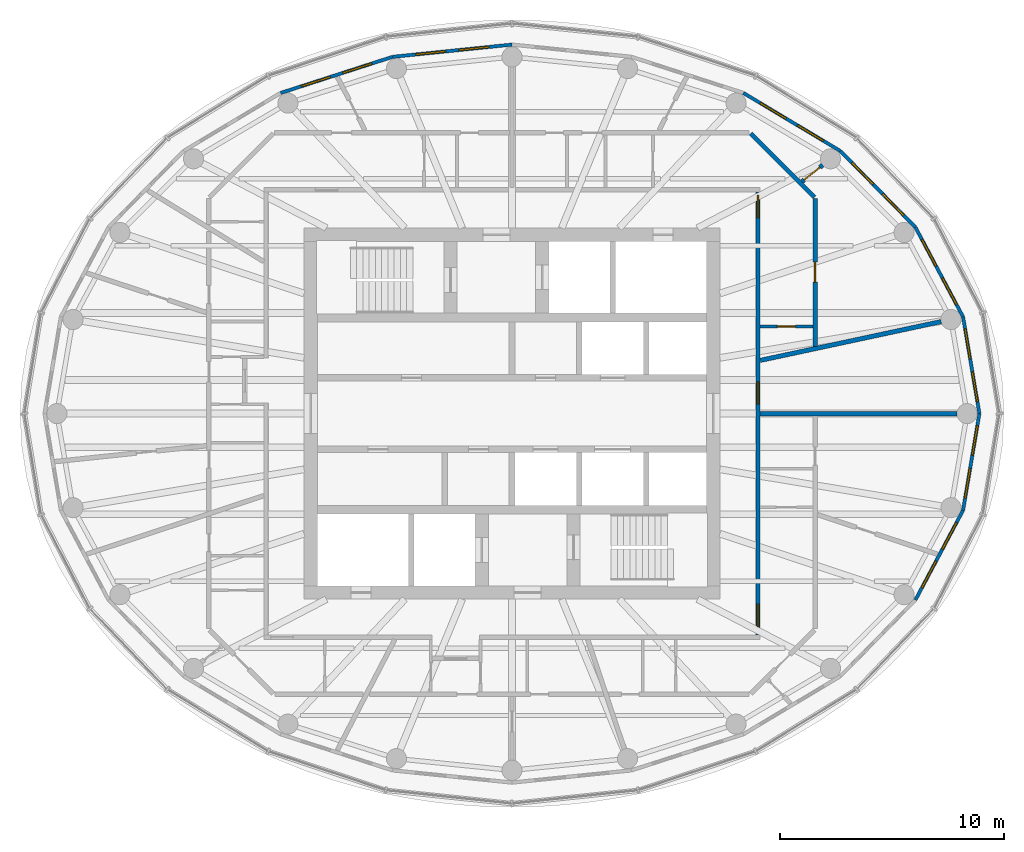
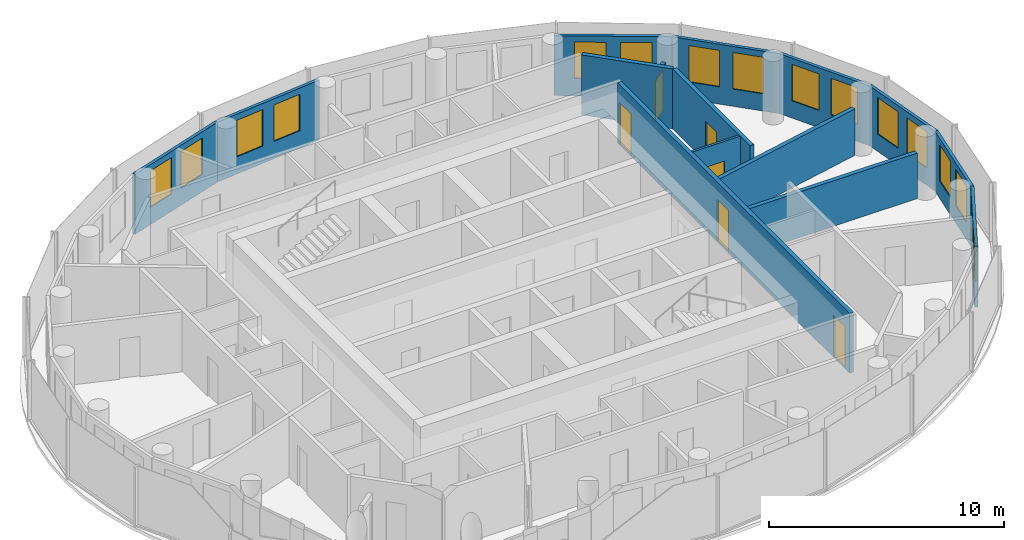
# One storey, part 9 of 11: 16 windows, 15 walls, 6 doors, 22 openings.
"""IFC4 building model written with IfcOpenShell, lengths in metres."""

from ifc_helpers import new_model, si_unit, direction, frame, frame_2d, origin, place, context, subcontext, project, spatial, rectangle, extrude, material, layer, layer_set, type_object, element, fill, save


model = new_model("IFC4")

# Units and contexts
model_context = context("Model", 3, precision=1e-05, world=origin(), true_north=direction((0.0, 1.0)))
body_context = subcontext(model_context, "Body", "Model", "MODEL_VIEW")
ifc_project = project(units=[si_unit("LENGTHUNIT", "METRE"), si_unit("AREAUNIT", "SQUARE_METRE"), si_unit("VOLUMEUNIT", "CUBIC_METRE"), si_unit("PLANEANGLEUNIT", "RADIAN"), si_unit("MASSUNIT", "GRAM", prefix="KILO")], contexts=[model_context])

# Site, building, storey
site_placement = place(None, origin())
site = spatial("IfcSite", under=ifc_project, at=site_placement, CompositionType="ELEMENT")
building_placement = place(site_placement, origin())
building = spatial("IfcBuilding", under=site, at=building_placement, Name="Hankou Lantern Tower", CompositionType="ELEMENT")
storey_placement = place(building_placement, frame((0.0, 0.0, 199.5)))
storey = spatial("IfcBuildingStorey", under=building, at=storey_placement, Name="L53", CompositionType="ELEMENT", Elevation=199.5)

# Wall, openings, windows
ifc_material_1 = material(Name="Aluminium spandrel panel on steel studs", Category="steel")
ifc_layer_1 = layer(ifc_material_1, 0.14990234375)
ifc_layer_set_1 = layer_set([ifc_layer_1], Name="Aluminium spandrel panel on steel studs")
wall_type_1 = type_object("IfcWallType", Name="EW1 INNER SKIN WALL 150", PredefinedType="ELEMENTEDWALL", material=ifc_layer_set_1)
wall_1_placement = place(storey_placement, frame((20.89990234375, 0.0, 0.0), z_axis=(0.0, 0.0, 1.0), x_axis=(-0.166538513568, 0.986034950445, 0.0)))
wall_1 = element("IfcWall", 1, at=wall_1_placement, inside=storey, type_object=wall_type_1, Name="Inner skin R01-R02 L53", PredefinedType="ELEMENTEDWALL", context=body_context, shape_type="SweptSolid", body=[
    extrude(rectangle(XDim=4.384765625, YDim=0.14990234375, at=frame_2d((2.1923828125, 0.0))), origin(), (0.0, 0.0, 1.0), 3.1201171875),
])
opening_1_placement = place(wall_1_placement, frame((0.54248046875, 0.0, 0.89990234375)))
opening_1 = element("IfcOpeningElement", 2, at=opening_1_placement, cuts=wall_1, Name="Opening W4", PredefinedType="OPENING", context=body_context, shape_type="SweptSolid", body=[
    extrude(rectangle(XDim=1.35009765625, YDim=1.89990234375, at=frame_2d((0.675048828125, 0.949951171875))), frame((0.0, 0.0849609375, 0.0), z_axis=(0.0, -1.0, 0.0), x_axis=(1.0, 0.0, 0.0)), (0.0, 0.0, 1.0), 0.169921875),
])
opening_2_placement = place(wall_1_placement, frame((2.492431640625, 0.0, 0.89990234375)))
opening_2 = element("IfcOpeningElement", 3, at=opening_2_placement, cuts=wall_1, Name="Opening W4", PredefinedType="OPENING", context=body_context, shape_type="SweptSolid", body=[
    extrude(rectangle(XDim=1.35009765625, YDim=1.89990234375, at=frame_2d((0.675048828125, 0.949951171875))), frame((0.0, 0.0849609375, 0.0), z_axis=(0.0, -1.0, 0.0), x_axis=(1.0, 0.0, 0.0)), (0.0, 0.0, 1.0), 0.169921875),
])
ifc_material_2 = material(Name="Aluminium framed double glazed window", Category="aluminium")
window_type = type_object("IfcWindowType", Name="W4 SUITE WINDOW 1350X1900", PartitioningType="DOUBLE_PANEL_VERTICAL", PredefinedType="WINDOW", material=ifc_material_2)
window_1_placement = place(opening_1_placement, origin())
window_1 = element("IfcWindow", 4, at=window_1_placement, inside=storey, type_object=window_type, Name="Window R01.1 L53", OverallHeight=1.89990234375, OverallWidth=1.35009765625, PartitioningType="SINGLE_PANEL", PredefinedType="WINDOW", context=body_context, shape_type="SweptSolid", body=[
    extrude(rectangle(XDim=1.35009765625, YDim=1.89990234375, at=frame_2d((0.675048828125, 0.949951171875))), frame((0.0, 0.030029296875, 0.0), z_axis=(0.0, -1.0, 0.0), x_axis=(1.0, 0.0, 0.0)), (0.0, 0.0, 1.0), 0.06005859375),
])
fill(opening_1, window_1)
window_2_placement = place(opening_2_placement, origin())
window_2 = element("IfcWindow", 5, at=window_2_placement, inside=storey, type_object=window_type, Name="Window R01.2 L53", OverallHeight=1.89990234375, OverallWidth=1.35009765625, PartitioningType="SINGLE_PANEL", PredefinedType="WINDOW", context=body_context, shape_type="SweptSolid", body=[
    extrude(rectangle(XDim=1.35009765625, YDim=1.89990234375, at=frame_2d((0.675048828125, 0.949951171875))), frame((0.0, 0.030029296875, 0.0), z_axis=(0.0, -1.0, 0.0), x_axis=(1.0, 0.0, 0.0)), (0.0, 0.0, 1.0), 0.06005859375),
])
fill(opening_2, window_2)

wall_2_placement = place(storey_placement, frame((20.169677734375, 4.323486328125, 0.0), z_axis=(0.0, 0.0, 1.0), x_axis=(-0.469256152955, 0.883062094597, 0.0)))
wall_2 = element("IfcWall", 6, at=wall_2_placement, inside=storey, type_object=wall_type_1, Name="Inner skin R02-R03 L53", PredefinedType="ELEMENTEDWALL", context=body_context, shape_type="SweptSolid", body=[
    extrude(rectangle(XDim=4.539306640625, YDim=0.14990234375, at=frame_2d((2.26953125, 0.0))), origin(), (0.0, 0.0, 1.0), 3.1201171875),
])
opening_3_placement = place(wall_2_placement, frame((0.61962890625, 0.0, 0.89990234375)))
opening_3 = element("IfcOpeningElement", 7, at=opening_3_placement, cuts=wall_2, Name="Opening W4", PredefinedType="OPENING", context=body_context, shape_type="SweptSolid", body=[
    extrude(rectangle(XDim=1.35009765625, YDim=1.89990234375, at=frame_2d((0.675048828125, 0.949951171875))), frame((0.0, 0.0849609375, 0.0), z_axis=(0.0, -1.0, 0.0), x_axis=(1.0, 0.0, 0.0)), (0.0, 0.0, 1.0), 0.169921875),
])
opening_4_placement = place(wall_2_placement, frame((2.569580078125, 0.0, 0.89990234375)))
opening_4 = element("IfcOpeningElement", 8, at=opening_4_placement, cuts=wall_2, Name="Opening W4", PredefinedType="OPENING", context=body_context, shape_type="SweptSolid", body=[
    extrude(rectangle(XDim=1.35009765625, YDim=1.89990234375, at=frame_2d((0.675048828125, 0.949951171875))), frame((0.0, 0.0849609375, 0.0), z_axis=(0.0, -1.0, 0.0), x_axis=(1.0, 0.0, 0.0)), (0.0, 0.0, 1.0), 0.169921875),
])
window_3_placement = place(opening_3_placement, origin())
window_3 = element("IfcWindow", 9, at=window_3_placement, inside=storey, type_object=window_type, Name="Window R02.1 L53", OverallHeight=1.89990234375, OverallWidth=1.35009765625, PartitioningType="SINGLE_PANEL", PredefinedType="WINDOW", context=body_context, shape_type="SweptSolid", body=[
    extrude(rectangle(XDim=1.35009765625, YDim=1.89990234375, at=frame_2d((0.675048828125, 0.949951171875))), frame((0.0, 0.030029296875, 0.0), z_axis=(0.0, -1.0, 0.0), x_axis=(1.0, 0.0, 0.0)), (0.0, 0.0, 1.0), 0.06005859375),
])
fill(opening_3, window_3)
window_4_placement = place(opening_4_placement, origin())
window_4 = element("IfcWindow", 10, at=window_4_placement, inside=storey, type_object=window_type, Name="Window R02.2 L53", OverallHeight=1.89990234375, OverallWidth=1.35009765625, PartitioningType="SINGLE_PANEL", PredefinedType="WINDOW", context=body_context, shape_type="SweptSolid", body=[
    extrude(rectangle(XDim=1.35009765625, YDim=1.89990234375, at=frame_2d((0.675048828125, 0.949951171875))), frame((0.0, 0.030029296875, 0.0), z_axis=(0.0, -1.0, 0.0), x_axis=(1.0, 0.0, 0.0)), (0.0, 0.0, 1.0), 0.06005859375),
])
fill(opening_4, window_4)

wall_3_placement = place(storey_placement, frame((18.03955078125, 8.33203125, 0.0), z_axis=(0.0, 0.0, 1.0), x_axis=(-0.701527379618, 0.712642501993, 0.0)))
wall_3 = element("IfcWall", 11, at=wall_3_placement, inside=storey, type_object=wall_type_1, Name="Inner skin R03-R04 L53", PredefinedType="ELEMENTEDWALL", context=body_context, shape_type="SweptSolid", body=[
    extrude(rectangle(XDim=4.788330078125, YDim=0.14990234375, at=frame_2d((2.39404296875, 0.0))), origin(), (0.0, 0.0, 1.0), 3.1201171875),
])
opening_5_placement = place(wall_3_placement, frame((0.744140625, 0.0, 0.89990234375)))
opening_5 = element("IfcOpeningElement", 12, at=opening_5_placement, cuts=wall_3, Name="Opening W4", PredefinedType="OPENING", context=body_context, shape_type="SweptSolid", body=[
    extrude(rectangle(XDim=1.35009765625, YDim=1.89990234375, at=frame_2d((0.675048828125, 0.949951171875))), frame((0.0, 0.0849609375, 0.0), z_axis=(0.0, -1.0, 0.0), x_axis=(1.0, 0.0, 0.0)), (0.0, 0.0, 1.0), 0.169921875),
])
opening_6_placement = place(wall_3_placement, frame((2.694091796875, 0.0, 0.89990234375)))
opening_6 = element("IfcOpeningElement", 13, at=opening_6_placement, cuts=wall_3, Name="Opening W4", PredefinedType="OPENING", context=body_context, shape_type="SweptSolid", body=[
    extrude(rectangle(XDim=1.35009765625, YDim=1.89990234375, at=frame_2d((0.675048828125, 0.949951171875))), frame((0.0, 0.0849609375, 0.0), z_axis=(0.0, -1.0, 0.0), x_axis=(1.0, 0.0, 0.0)), (0.0, 0.0, 1.0), 0.169921875),
])
window_5_placement = place(opening_5_placement, origin())
window_5 = element("IfcWindow", 14, at=window_5_placement, inside=storey, type_object=window_type, Name="Window R03.1 L53", OverallHeight=1.89990234375, OverallWidth=1.35009765625, PartitioningType="SINGLE_PANEL", PredefinedType="WINDOW", context=body_context, shape_type="SweptSolid", body=[
    extrude(rectangle(XDim=1.35009765625, YDim=1.89990234375, at=frame_2d((0.675048828125, 0.949951171875))), frame((0.0, 0.030029296875, 0.0), z_axis=(0.0, -1.0, 0.0), x_axis=(1.0, 0.0, 0.0)), (0.0, 0.0, 1.0), 0.06005859375),
])
fill(opening_5, window_5)
window_6_placement = place(opening_6_placement, origin())
window_6 = element("IfcWindow", 15, at=window_6_placement, inside=storey, type_object=window_type, Name="Window R03.2 L53", OverallHeight=1.89990234375, OverallWidth=1.35009765625, PartitioningType="SINGLE_PANEL", PredefinedType="WINDOW", context=body_context, shape_type="SweptSolid", body=[
    extrude(rectangle(XDim=1.35009765625, YDim=1.89990234375, at=frame_2d((0.675048828125, 0.949951171875))), frame((0.0, 0.030029296875, 0.0), z_axis=(0.0, -1.0, 0.0), x_axis=(1.0, 0.0, 0.0)), (0.0, 0.0, 1.0), 0.06005859375),
])
fill(opening_6, window_6)

wall_4_placement = place(storey_placement, frame((14.680419921875, 11.744384765625, 0.0), z_axis=(0.0, 0.0, 1.0), x_axis=(-0.85822150553, 0.513279502265, 0.0)))
wall_4 = element("IfcWall", 16, at=wall_4_placement, inside=storey, type_object=wall_type_1, Name="Inner skin R04-R05 L53", PredefinedType="ELEMENTEDWALL", context=body_context, shape_type="SweptSolid", body=[
    extrude(rectangle(XDim=5.050048828125, YDim=0.14990234375, at=frame_2d((2.52490234375, 0.0))), origin(), (0.0, 0.0, 1.0), 3.1201171875),
])
opening_7_placement = place(wall_4_placement, frame((0.875, 0.0, 0.89990234375)))
opening_7 = element("IfcOpeningElement", 17, at=opening_7_placement, cuts=wall_4, Name="Opening W4", PredefinedType="OPENING", context=body_context, shape_type="SweptSolid", body=[
    extrude(rectangle(XDim=1.35009765625, YDim=1.89990234375, at=frame_2d((0.675048828125, 0.949951171875))), frame((0.0, 0.0849609375, 0.0), z_axis=(0.0, -1.0, 0.0), x_axis=(1.0, 0.0, 0.0)), (0.0, 0.0, 1.0), 0.169921875),
])
opening_8_placement = place(wall_4_placement, frame((2.824951171875, 0.0, 0.89990234375)))
opening_8 = element("IfcOpeningElement", 18, at=opening_8_placement, cuts=wall_4, Name="Opening W4", PredefinedType="OPENING", context=body_context, shape_type="SweptSolid", body=[
    extrude(rectangle(XDim=1.35009765625, YDim=1.89990234375, at=frame_2d((0.675048828125, 0.949951171875))), frame((0.0, 0.0849609375, 0.0), z_axis=(0.0, -1.0, 0.0), x_axis=(1.0, 0.0, 0.0)), (0.0, 0.0, 1.0), 0.169921875),
])
window_7_placement = place(opening_7_placement, origin())
window_7 = element("IfcWindow", 19, at=window_7_placement, inside=storey, type_object=window_type, Name="Window R04.1 L53", OverallHeight=1.89990234375, OverallWidth=1.35009765625, PartitioningType="SINGLE_PANEL", PredefinedType="WINDOW", context=body_context, shape_type="SweptSolid", body=[
    extrude(rectangle(XDim=1.35009765625, YDim=1.89990234375, at=frame_2d((0.675048828125, 0.949951171875))), frame((0.0, 0.030029296875, 0.0), z_axis=(0.0, -1.0, 0.0), x_axis=(1.0, 0.0, 0.0)), (0.0, 0.0, 1.0), 0.06005859375),
])
fill(opening_7, window_7)
window_8_placement = place(opening_8_placement, origin())
window_8 = element("IfcWindow", 20, at=window_8_placement, inside=storey, type_object=window_type, Name="Window R04.2 L53", OverallHeight=1.89990234375, OverallWidth=1.35009765625, PartitioningType="SINGLE_PANEL", PredefinedType="WINDOW", context=body_context, shape_type="SweptSolid", body=[
    extrude(rectangle(XDim=1.35009765625, YDim=1.89990234375, at=frame_2d((0.675048828125, 0.949951171875))), frame((0.0, 0.030029296875, 0.0), z_axis=(0.0, -1.0, 0.0), x_axis=(1.0, 0.0, 0.0)), (0.0, 0.0, 1.0), 0.06005859375),
])
fill(opening_8, window_8)

wall_5_placement = place(storey_placement, frame((0.0, 16.5, 0.0), z_axis=(0.0, 0.0, 1.0), x_axis=(-0.994774574972, -0.102095763818, 0.0)))
wall_5 = element("IfcWall", 21, at=wall_5_placement, inside=storey, type_object=wall_type_1, Name="Inner skin R07-R08 L53", PredefinedType="ELEMENTEDWALL", context=body_context, shape_type="SweptSolid", body=[
    extrude(rectangle(XDim=5.370849609375, YDim=0.14990234375, at=frame_2d((2.685546875, 0.0))), origin(), (0.0, 0.0, 1.0), 3.1201171875),
])
opening_9_placement = place(wall_5_placement, frame((1.035400390625, 0.0, 0.89990234375)))
opening_9 = element("IfcOpeningElement", 22, at=opening_9_placement, cuts=wall_5, Name="Opening W4", PredefinedType="OPENING", context=body_context, shape_type="SweptSolid", body=[
    extrude(rectangle(XDim=1.35009765625, YDim=1.89990234375, at=frame_2d((0.675048828125, 0.949951171875))), frame((0.0, 0.0849609375, 0.0), z_axis=(0.0, -1.0, 0.0), x_axis=(1.0, 0.0, 0.0)), (0.0, 0.0, 1.0), 0.169921875),
])
opening_10_placement = place(wall_5_placement, frame((2.9853515625, 0.0, 0.89990234375)))
opening_10 = element("IfcOpeningElement", 23, at=opening_10_placement, cuts=wall_5, Name="Opening W4", PredefinedType="OPENING", context=body_context, shape_type="SweptSolid", body=[
    extrude(rectangle(XDim=1.35009765625, YDim=1.89990234375, at=frame_2d((0.675048828125, 0.949951171875))), frame((0.0, 0.0849609375, 0.0), z_axis=(0.0, -1.0, 0.0), x_axis=(1.0, 0.0, 0.0)), (0.0, 0.0, 1.0), 0.169921875),
])
window_9_placement = place(opening_9_placement, origin())
window_9 = element("IfcWindow", 24, at=window_9_placement, inside=storey, type_object=window_type, Name="Window R07.1 L53", OverallHeight=1.89990234375, OverallWidth=1.35009765625, PartitioningType="SINGLE_PANEL", PredefinedType="WINDOW", context=body_context, shape_type="SweptSolid", body=[
    extrude(rectangle(XDim=1.35009765625, YDim=1.89990234375, at=frame_2d((0.675048828125, 0.949951171875))), frame((0.0, 0.030029296875, 0.0), z_axis=(0.0, -1.0, 0.0), x_axis=(1.0, 0.0, 0.0)), (0.0, 0.0, 1.0), 0.06005859375),
])
fill(opening_9, window_9)
window_10_placement = place(opening_10_placement, origin())
window_10 = element("IfcWindow", 25, at=window_10_placement, inside=storey, type_object=window_type, Name="Window R07.2 L53", OverallHeight=1.89990234375, OverallWidth=1.35009765625, PartitioningType="SINGLE_PANEL", PredefinedType="WINDOW", context=body_context, shape_type="SweptSolid", body=[
    extrude(rectangle(XDim=1.35009765625, YDim=1.89990234375, at=frame_2d((0.675048828125, 0.949951171875))), frame((0.0, 0.030029296875, 0.0), z_axis=(0.0, -1.0, 0.0), x_axis=(1.0, 0.0, 0.0)), (0.0, 0.0, 1.0), 0.06005859375),
])
fill(opening_10, window_10)

wall_6_placement = place(storey_placement, frame((-5.3427734375, 15.95166015625, 0.0), z_axis=(0.0, 0.0, 1.0), x_axis=(-0.951644702515, -0.307200846638, 0.0)))
wall_6 = element("IfcWall", 26, at=wall_6_placement, inside=storey, type_object=wall_type_1, Name="Inner skin R08-R09 L53", PredefinedType="ELEMENTEDWALL", context=body_context, shape_type="SweptSolid", body=[
    extrude(rectangle(XDim=5.2578125, YDim=0.14990234375, at=frame_2d((2.62890625, 0.0))), origin(), (0.0, 0.0, 1.0), 3.1201171875),
])
opening_11_placement = place(wall_6_placement, frame((0.97900390625, 0.0, 0.89990234375)))
opening_11 = element("IfcOpeningElement", 27, at=opening_11_placement, cuts=wall_6, Name="Opening W4", PredefinedType="OPENING", context=body_context, shape_type="SweptSolid", body=[
    extrude(rectangle(XDim=1.35009765625, YDim=1.89990234375, at=frame_2d((0.675048828125, 0.949951171875))), frame((0.0, 0.0849609375, 0.0), z_axis=(0.0, -1.0, 0.0), x_axis=(1.0, 0.0, 0.0)), (0.0, 0.0, 1.0), 0.169921875),
])
opening_12_placement = place(wall_6_placement, frame((2.928955078125, 0.0, 0.89990234375)))
opening_12 = element("IfcOpeningElement", 28, at=opening_12_placement, cuts=wall_6, Name="Opening W4", PredefinedType="OPENING", context=body_context, shape_type="SweptSolid", body=[
    extrude(rectangle(XDim=1.35009765625, YDim=1.89990234375, at=frame_2d((0.675048828125, 0.949951171875))), frame((0.0, 0.0849609375, 0.0), z_axis=(0.0, -1.0, 0.0), x_axis=(1.0, 0.0, 0.0)), (0.0, 0.0, 1.0), 0.169921875),
])
window_11_placement = place(opening_11_placement, origin())
window_11 = element("IfcWindow", 29, at=window_11_placement, inside=storey, type_object=window_type, Name="Window R08.1 L53", OverallHeight=1.89990234375, OverallWidth=1.35009765625, PartitioningType="SINGLE_PANEL", PredefinedType="WINDOW", context=body_context, shape_type="SweptSolid", body=[
    extrude(rectangle(XDim=1.35009765625, YDim=1.89990234375, at=frame_2d((0.675048828125, 0.949951171875))), frame((0.0, 0.030029296875, 0.0), z_axis=(0.0, -1.0, 0.0), x_axis=(1.0, 0.0, 0.0)), (0.0, 0.0, 1.0), 0.06005859375),
])
fill(opening_11, window_11)
window_12_placement = place(opening_12_placement, origin())
window_12 = element("IfcWindow", 30, at=window_12_placement, inside=storey, type_object=window_type, Name="Window R08.2 L53", OverallHeight=1.89990234375, OverallWidth=1.35009765625, PartitioningType="SINGLE_PANEL", PredefinedType="WINDOW", context=body_context, shape_type="SweptSolid", body=[
    extrude(rectangle(XDim=1.35009765625, YDim=1.89990234375, at=frame_2d((0.675048828125, 0.949951171875))), frame((0.0, 0.030029296875, 0.0), z_axis=(0.0, -1.0, 0.0), x_axis=(1.0, 0.0, 0.0)), (0.0, 0.0, 1.0), 0.06005859375),
])
fill(opening_12, window_12)

wall_7_placement = place(storey_placement, frame((18.03955078125, -8.33203125, 0.0), z_axis=(0.0, 0.0, 1.0), x_axis=(0.469256152955, 0.883062094597, 0.0)))
wall_7 = element("IfcWall", 31, at=wall_7_placement, inside=storey, type_object=wall_type_1, Name="Inner skin R23-R24 L53", PredefinedType="ELEMENTEDWALL", context=body_context, shape_type="SweptSolid", body=[
    extrude(rectangle(XDim=4.539306640625, YDim=0.14990234375, at=frame_2d((2.26953125, 0.0))), origin(), (0.0, 0.0, 1.0), 3.1201171875),
])
opening_13_placement = place(wall_7_placement, frame((0.61962890625, 0.0, 0.89990234375)))
opening_13 = element("IfcOpeningElement", 32, at=opening_13_placement, cuts=wall_7, Name="Opening W4", PredefinedType="OPENING", context=body_context, shape_type="SweptSolid", body=[
    extrude(rectangle(XDim=1.35009765625, YDim=1.89990234375, at=frame_2d((0.675048828125, 0.949951171875))), frame((0.0, 0.0849609375, 0.0), z_axis=(0.0, -1.0, 0.0), x_axis=(1.0, 0.0, 0.0)), (0.0, 0.0, 1.0), 0.169921875),
])
opening_14_placement = place(wall_7_placement, frame((2.569580078125, 0.0, 0.89990234375)))
opening_14 = element("IfcOpeningElement", 33, at=opening_14_placement, cuts=wall_7, Name="Opening W4", PredefinedType="OPENING", context=body_context, shape_type="SweptSolid", body=[
    extrude(rectangle(XDim=1.35009765625, YDim=1.89990234375, at=frame_2d((0.675048828125, 0.949951171875))), frame((0.0, 0.0849609375, 0.0), z_axis=(0.0, -1.0, 0.0), x_axis=(1.0, 0.0, 0.0)), (0.0, 0.0, 1.0), 0.169921875),
])
window_13_placement = place(opening_13_placement, origin())
window_13 = element("IfcWindow", 34, at=window_13_placement, inside=storey, type_object=window_type, Name="Window R23.1 L53", OverallHeight=1.89990234375, OverallWidth=1.35009765625, PartitioningType="SINGLE_PANEL", PredefinedType="WINDOW", context=body_context, shape_type="SweptSolid", body=[
    extrude(rectangle(XDim=1.35009765625, YDim=1.89990234375, at=frame_2d((0.675048828125, 0.949951171875))), frame((0.0, 0.030029296875, 0.0), z_axis=(0.0, -1.0, 0.0), x_axis=(1.0, 0.0, 0.0)), (0.0, 0.0, 1.0), 0.06005859375),
])
fill(opening_13, window_13)
window_14_placement = place(opening_14_placement, origin())
window_14 = element("IfcWindow", 35, at=window_14_placement, inside=storey, type_object=window_type, Name="Window R23.2 L53", OverallHeight=1.89990234375, OverallWidth=1.35009765625, PartitioningType="SINGLE_PANEL", PredefinedType="WINDOW", context=body_context, shape_type="SweptSolid", body=[
    extrude(rectangle(XDim=1.35009765625, YDim=1.89990234375, at=frame_2d((0.675048828125, 0.949951171875))), frame((0.0, 0.030029296875, 0.0), z_axis=(0.0, -1.0, 0.0), x_axis=(1.0, 0.0, 0.0)), (0.0, 0.0, 1.0), 0.06005859375),
])
fill(opening_14, window_14)

wall_8_placement = place(storey_placement, frame((20.169677734375, -4.323486328125, 0.0), z_axis=(0.0, 0.0, 1.0), x_axis=(0.166538513568, 0.986034950445, 0.0)))
wall_8 = element("IfcWall", 36, at=wall_8_placement, inside=storey, type_object=wall_type_1, Name="Inner skin R24-R01 L53", PredefinedType="ELEMENTEDWALL", context=body_context, shape_type="SweptSolid", body=[
    extrude(rectangle(XDim=4.384765625, YDim=0.14990234375, at=frame_2d((2.1923828125, 0.0))), origin(), (0.0, 0.0, 1.0), 3.1201171875),
])
opening_15_placement = place(wall_8_placement, frame((0.54248046875, 0.0, 0.89990234375)))
opening_15 = element("IfcOpeningElement", 37, at=opening_15_placement, cuts=wall_8, Name="Opening W4", PredefinedType="OPENING", context=body_context, shape_type="SweptSolid", body=[
    extrude(rectangle(XDim=1.35009765625, YDim=1.89990234375, at=frame_2d((0.675048828125, 0.949951171875))), frame((0.0, 0.0849609375, 0.0), z_axis=(0.0, -1.0, 0.0), x_axis=(1.0, 0.0, 0.0)), (0.0, 0.0, 1.0), 0.169921875),
])
opening_16_placement = place(wall_8_placement, frame((2.492431640625, 0.0, 0.89990234375)))
opening_16 = element("IfcOpeningElement", 38, at=opening_16_placement, cuts=wall_8, Name="Opening W4", PredefinedType="OPENING", context=body_context, shape_type="SweptSolid", body=[
    extrude(rectangle(XDim=1.35009765625, YDim=1.89990234375, at=frame_2d((0.675048828125, 0.949951171875))), frame((0.0, 0.0849609375, 0.0), z_axis=(0.0, -1.0, 0.0), x_axis=(1.0, 0.0, 0.0)), (0.0, 0.0, 1.0), 0.169921875),
])
window_15_placement = place(opening_15_placement, origin())
window_15 = element("IfcWindow", 39, at=window_15_placement, inside=storey, type_object=window_type, Name="Window R24.1 L53", OverallHeight=1.89990234375, OverallWidth=1.35009765625, PartitioningType="SINGLE_PANEL", PredefinedType="WINDOW", context=body_context, shape_type="SweptSolid", body=[
    extrude(rectangle(XDim=1.35009765625, YDim=1.89990234375, at=frame_2d((0.675048828125, 0.949951171875))), frame((0.0, 0.030029296875, 0.0), z_axis=(0.0, -1.0, 0.0), x_axis=(1.0, 0.0, 0.0)), (0.0, 0.0, 1.0), 0.06005859375),
])
fill(opening_15, window_15)
window_16_placement = place(opening_16_placement, origin())
window_16 = element("IfcWindow", 40, at=window_16_placement, inside=storey, type_object=window_type, Name="Window R24.2 L53", OverallHeight=1.89990234375, OverallWidth=1.35009765625, PartitioningType="SINGLE_PANEL", PredefinedType="WINDOW", context=body_context, shape_type="SweptSolid", body=[
    extrude(rectangle(XDim=1.35009765625, YDim=1.89990234375, at=frame_2d((0.675048828125, 0.949951171875))), frame((0.0, 0.030029296875, 0.0), z_axis=(0.0, -1.0, 0.0), x_axis=(1.0, 0.0, 0.0)), (0.0, 0.0, 1.0), 0.06005859375),
])
fill(opening_16, window_16)

# Wall, openings, doors
ifc_material_3 = material(Name="Masonry lightweight concrete block", Category="masonry")
ifc_layer_2 = layer(ifc_material_3, 0.199951171875)
ifc_layer_set_2 = layer_set([ifc_layer_2], Name="Masonry lightweight concrete block")
wall_type_2 = type_object("IfcWallType", Name="IW2 CORRIDOR WALL 200", PredefinedType="PARTITIONING", material=ifc_layer_set_2)
wall_9_placement = place(storey_placement, frame((11.0, -9.89990234375, 0.0), z_axis=(0.0, 0.0, 1.0), x_axis=(0.0, 1.0, 0.0)))
wall_9 = element("IfcWall", 41, at=wall_9_placement, inside=storey, type_object=wall_type_2, Name="Corridor wall east", PredefinedType="PARTITIONING", context=body_context, shape_type="SweptSolid", body=[
    extrude(rectangle(XDim=19.7998046875, YDim=0.199951171875, at=frame_2d((9.89990234375, 0.0))), origin(), (0.0, 0.0, 1.0), 3.1201171875),
])
opening_17_placement = place(wall_9_placement, frame((10.320068359375, 0.0, 0.0)))
opening_17 = element("IfcOpeningElement", 42, at=opening_17_placement, cuts=wall_9, Name="Opening D28", PredefinedType="OPENING", context=body_context, shape_type="SweptSolid", body=[
    extrude(rectangle(XDim=1.0, YDim=2.199951171875, at=frame_2d((0.5, 1.10009765625))), frame((0.0, 0.10986328125, 0.0), z_axis=(0.0, -1.0, 0.0), x_axis=(1.0, 0.0, 0.0)), (0.0, 0.0, 1.0), 0.219970703125),
])
opening_18_placement = place(wall_9_placement, frame((18.652587890625, 0.0, 0.0)))
opening_18 = element("IfcOpeningElement", 43, at=opening_18_placement, cuts=wall_9, Name="Opening D2", PredefinedType="OPENING", context=body_context, shape_type="SweptSolid", body=[
    extrude(rectangle(XDim=1.0, YDim=2.199951171875, at=frame_2d((0.5, 1.10009765625))), frame((0.0, 0.10986328125, 0.0), z_axis=(0.0, -1.0, 0.0), x_axis=(1.0, 0.0, 0.0)), (0.0, 0.0, 1.0), 0.219970703125),
])
opening_19_placement = place(wall_9_placement, frame((0.37939453125, 0.0, 0.0)))
opening_19 = element("IfcOpeningElement", 44, at=opening_19_placement, cuts=wall_9, Name="Opening D2", PredefinedType="OPENING", context=body_context, shape_type="SweptSolid", body=[
    extrude(rectangle(XDim=1.0, YDim=2.199951171875, at=frame_2d((0.5, 1.10009765625))), frame((0.0, 0.10986328125, 0.0), z_axis=(0.0, -1.0, 0.0), x_axis=(1.0, 0.0, 0.0)), (0.0, 0.0, 1.0), 0.219970703125),
])
ifc_material_4 = material(Name="Steel door leaf", Category="steel")
door_type_1 = type_object("IfcDoorType", Name="D2 SUITE DOOR 1000X2200", OperationType="SINGLE_SWING_LEFT", PredefinedType="DOOR", material=ifc_material_4)
door_1_placement = place(opening_18_placement, origin())
door_1 = element("IfcDoor", 45, at=door_1_placement, inside=storey, type_object=door_type_1, Name="Suite door 5302", OperationType="SINGLE_SWING_RIGHT", OverallHeight=2.199951171875, OverallWidth=1.0, PredefinedType="DOOR", context=body_context, shape_type="SweptSolid", body=[
    extrude(rectangle(XDim=1.0, YDim=2.199951171875, at=frame_2d((0.5, 1.10009765625))), frame((0.0, 0.02490234375, 0.0), z_axis=(0.0, -1.0, 0.0), x_axis=(1.0, 0.0, 0.0)), (0.0, 0.0, 1.0), 0.050048828125),
])
fill(opening_18, door_1)
door_2_placement = place(opening_19_placement, origin())
door_2 = element("IfcDoor", 46, at=door_2_placement, inside=storey, type_object=door_type_1, Name="Suite door 5307", OperationType="SINGLE_SWING_LEFT", OverallHeight=2.199951171875, OverallWidth=1.0, PredefinedType="DOOR", context=body_context, shape_type="SweptSolid", body=[
    extrude(rectangle(XDim=1.0, YDim=2.199951171875, at=frame_2d((0.5, 1.10009765625))), frame((0.0, 0.02490234375, 0.0), z_axis=(0.0, -1.0, 0.0), x_axis=(1.0, 0.0, 0.0)), (0.0, 0.0, 1.0), 0.050048828125),
])
fill(opening_19, door_2)
ifc_material_5 = material(Name="Steel door leaf", Category="steel")
door_type_2 = type_object("IfcDoorType", Name="D28 SERVICE DOOR 1000X2200", OperationType="SINGLE_SWING_LEFT", PredefinedType="DOOR", material=ifc_material_5)
door_3_placement = place(opening_17_placement, origin())
door_3 = element("IfcDoor", 47, at=door_3_placement, inside=storey, type_object=door_type_2, Name="Service door 5301", OperationType="SINGLE_SWING_RIGHT", OverallHeight=2.199951171875, OverallWidth=1.0, PredefinedType="DOOR", context=body_context, shape_type="SweptSolid", body=[
    extrude(rectangle(XDim=1.0, YDim=2.199951171875, at=frame_2d((0.5, 1.10009765625))), frame((0.0, 0.02490234375, 0.0), z_axis=(0.0, -1.0, 0.0), x_axis=(1.0, 0.0, 0.0)), (0.0, 0.0, 1.0), 0.050048828125),
])
fill(opening_17, door_3)

# Wall, opening, door
ifc_material_6 = material(Name="Masonry lightweight concrete block", Category="masonry")
ifc_layer_3 = layer(ifc_material_6, 0.1201171875)
ifc_layer_set_3 = layer_set([ifc_layer_3], Name="Masonry lightweight concrete block")
wall_type_3 = type_object("IfcWallType", Name="IW3 BATHROOM WALL 120", PredefinedType="PARTITIONING", material=ifc_layer_set_3)
wall_10_placement = place(storey_placement, frame((11.10009765625, 3.892578125, 0.0), z_axis=(0.0, 0.0, 1.0), x_axis=(1.0, 0.0, 0.0)))
wall_10 = element("IfcWall", 48, at=wall_10_placement, inside=storey, type_object=wall_type_3, Name="Box wall 5302 1", PredefinedType="PARTITIONING", context=body_context, shape_type="SweptSolid", body=[
    extrude(rectangle(XDim=2.349853515625, YDim=0.1201171875, at=frame_2d((1.1748046875, 0.0))), origin(), (0.0, 0.0, 1.0), 3.1201171875),
])
opening_20_placement = place(wall_10_placement, frame((0.77001953125, 0.0, 0.0)))
opening_20 = element("IfcOpeningElement", 49, at=opening_20_placement, cuts=wall_10, Name="Opening D3", PredefinedType="OPENING", context=body_context, shape_type="SweptSolid", body=[
    extrude(rectangle(XDim=0.800048828125, YDim=2.10009765625, at=frame_2d((0.39990234375, 1.050048828125))), frame((0.0, 0.070068359375, 0.0), z_axis=(0.0, -1.0, 0.0), x_axis=(1.0, 0.0, 0.0)), (0.0, 0.0, 1.0), 0.14013671875),
])
ifc_material_7 = material(Name="Timber door leaf", Category="wood")
door_type_3 = type_object("IfcDoorType", Name="D3 BATHROOM DOOR 800X2100", OperationType="SINGLE_SWING_LEFT", PredefinedType="DOOR", material=ifc_material_7)
door_4_placement = place(opening_20_placement, origin())
door_4 = element("IfcDoor", 50, at=door_4_placement, inside=storey, type_object=door_type_3, Name="Corner suite 5302 guest WC door", OperationType="SINGLE_SWING_LEFT", OverallHeight=2.10009765625, OverallWidth=0.800048828125, PredefinedType="DOOR", context=body_context, shape_type="SweptSolid", body=[
    extrude(rectangle(XDim=0.800048828125, YDim=2.10009765625, at=frame_2d((0.39990234375, 1.050048828125))), frame((0.0, 0.02490234375, 0.0), z_axis=(0.0, -1.0, 0.0), x_axis=(1.0, 0.0, 0.0)), (0.0, 0.0, 1.0), 0.050048828125),
])
fill(opening_20, door_4)

ifc_material_8 = material(Name="Masonry lightweight concrete block", Category="masonry")
ifc_layer_4 = layer(ifc_material_8, 0.199951171875)
ifc_layer_set_4 = layer_set([ifc_layer_4], Name="Masonry lightweight concrete block")
wall_type_4 = type_object("IfcWallType", Name="IW6 SUITE PARTITION 200", PredefinedType="PARTITIONING", material=ifc_layer_set_4)
wall_11_placement = place(storey_placement, frame((13.550048828125, 3.0078125, 0.0), z_axis=(0.0, 0.0, 1.0), x_axis=(0.0, 1.0, 0.0)))
wall_11 = element("IfcWall", 51, at=wall_11_placement, inside=storey, type_object=wall_type_4, Name="Suite foyer wall 5302", PredefinedType="PARTITIONING", context=body_context, shape_type="SweptSolid", body=[
    extrude(rectangle(XDim=6.600830078125, YDim=0.199951171875, at=frame_2d((3.30029296875, 0.0))), origin(), (0.0, 0.0, 1.0), 3.1201171875),
])
opening_21_placement = place(wall_11_placement, frame((2.8701171875, 0.0, 0.0)))
opening_21 = element("IfcOpeningElement", 52, at=opening_21_placement, cuts=wall_11, Name="Opening D27", PredefinedType="OPENING", context=body_context, shape_type="SweptSolid", body=[
    extrude(rectangle(XDim=0.89990234375, YDim=2.10009765625, at=frame_2d((0.449951171875, 1.050048828125))), frame((0.0, 0.10986328125, 0.0), z_axis=(0.0, -1.0, 0.0), x_axis=(1.0, 0.0, 0.0)), (0.0, 0.0, 1.0), 0.219970703125),
])
ifc_material_9 = material(Name="Timber door leaf", Category="wood")
door_type_4 = type_object("IfcDoorType", Name="D27 INTERNAL DOOR 900X2100", OperationType="SINGLE_SWING_LEFT", PredefinedType="DOOR", material=ifc_material_9)
door_5_placement = place(opening_21_placement, origin())
door_5 = element("IfcDoor", 53, at=door_5_placement, inside=storey, type_object=door_type_4, Name="Corner suite 5302 living room door", OperationType="SINGLE_SWING_LEFT", OverallHeight=2.10009765625, OverallWidth=0.89990234375, PredefinedType="DOOR", context=body_context, shape_type="SweptSolid", body=[
    extrude(rectangle(XDim=0.89990234375, YDim=2.10009765625, at=frame_2d((0.449951171875, 1.050048828125))), frame((0.0, 0.02490234375, 0.0), z_axis=(0.0, -1.0, 0.0), x_axis=(1.0, 0.0, 0.0)), (0.0, 0.0, 1.0), 0.050048828125),
])
fill(opening_21, door_5)

# Wall
wall_12_placement = place(storey_placement, frame((13.520751953125, 9.67919921875, 0.0), z_axis=(0.0, 0.0, 1.0), x_axis=(-0.707106781187, 0.707106781187, 0.0)))
element("IfcWall", 54, at=wall_12_placement, inside=storey, type_object=wall_type_4, Name="Suite foyer wall 5302", PredefinedType="PARTITIONING", context=body_context, shape_type="SweptSolid", body=[
    extrude(rectangle(XDim=4.0185546875, YDim=0.199951171875, at=frame_2d((2.00927734375, 0.0))), origin(), (0.0, 0.0, 1.0), 3.1201171875),
])

# Wall, opening, door
wall_13_placement = place(storey_placement, frame((12.967529296875, 10.3740234375, 0.0), z_axis=(0.0, 0.0, 1.0), x_axis=(0.780888968944, 0.624669847345, 0.0)))
wall_13 = element("IfcWall", 55, at=wall_13_placement, inside=storey, type_object=wall_type_4, Name="Suite partition R04", PredefinedType="PARTITIONING", context=body_context, shape_type="SweptSolid", body=[
    extrude(rectangle(XDim=1.181396484375, YDim=0.199951171875, at=frame_2d((0.5908203125, 0.0))), origin(), (0.0, 0.0, 1.0), 2.419921875),
])
opening_22_placement = place(wall_13_placement, frame((0.1201171875, 0.0, 0.0)))
opening_22 = element("IfcOpeningElement", 56, at=opening_22_placement, cuts=wall_13, Name="Opening D27", PredefinedType="OPENING", context=body_context, shape_type="SweptSolid", body=[
    extrude(rectangle(XDim=0.89990234375, YDim=2.10009765625, at=frame_2d((0.449951171875, 1.050048828125))), frame((0.0, 0.10986328125, 0.0), z_axis=(0.0, -1.0, 0.0), x_axis=(1.0, 0.0, 0.0)), (0.0, 0.0, 1.0), 0.219970703125),
])
door_6_placement = place(opening_22_placement, origin())
door_6 = element("IfcDoor", 57, at=door_6_placement, inside=storey, type_object=door_type_4, Name="Corner suite 5302 dining room door", OperationType="SINGLE_SWING_LEFT", OverallHeight=2.10009765625, OverallWidth=0.89990234375, PredefinedType="DOOR", context=body_context, shape_type="SweptSolid", body=[
    extrude(rectangle(XDim=0.89990234375, YDim=2.10009765625, at=frame_2d((0.449951171875, 1.050048828125))), frame((0.0, 0.02490234375, 0.0), z_axis=(0.0, -1.0, 0.0), x_axis=(1.0, 0.0, 0.0)), (0.0, 0.0, 1.0), 0.050048828125),
])
fill(opening_22, door_6)

# Walls
ifc_material_10 = material(Name="Masonry lightweight concrete block", Category="masonry")
ifc_layer_5 = layer(ifc_material_10, 0.199951171875)
ifc_layer_set_5 = layer_set([ifc_layer_5], Name="Masonry lightweight concrete block")
wall_type_5 = type_object("IfcWallType", Name="IW8 PARTITION 200", PredefinedType="PARTITIONING", material=ifc_layer_set_5)
wall_14_placement = place(storey_placement, frame((11.10009765625, 0.0, 0.0), z_axis=(0.0, 0.0, 1.0), x_axis=(1.0, 0.0, 0.0)))
element("IfcWall", 58, at=wall_14_placement, inside=storey, type_object=wall_type_5, Name="Partition R01", PredefinedType="PARTITIONING", context=body_context, shape_type="SweptSolid", body=[
    extrude(rectangle(XDim=8.7998046875, YDim=0.199951171875, at=frame_2d((4.39990234375, 0.0))), origin(), (0.0, 0.0, 1.0), 2.3701171875),
])
wall_15_placement = place(storey_placement, frame((11.10009765625, 2.37939453125, 0.0), z_axis=(0.0, 0.0, 1.0), x_axis=(0.977789888126, 0.209587534647, 0.0)))
element("IfcWall", 59, at=wall_15_placement, inside=storey, type_object=wall_type_5, Name="Partition R02", PredefinedType="PARTITIONING", context=body_context, shape_type="SweptSolid", body=[
    extrude(rectangle(XDim=8.27294921875, YDim=0.199951171875, at=frame_2d((4.136474609375, 0.0))), origin(), (0.0, 0.0, 1.0), 2.419921875),
])

save(model, "model.ifc")
